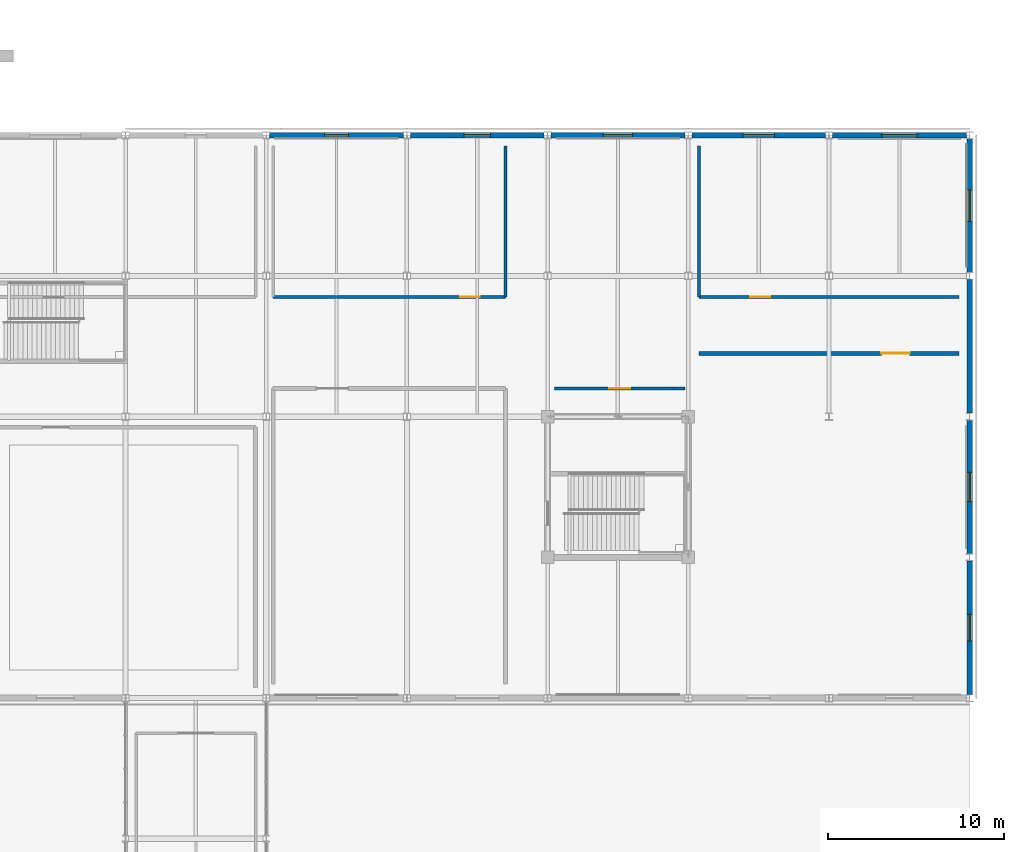
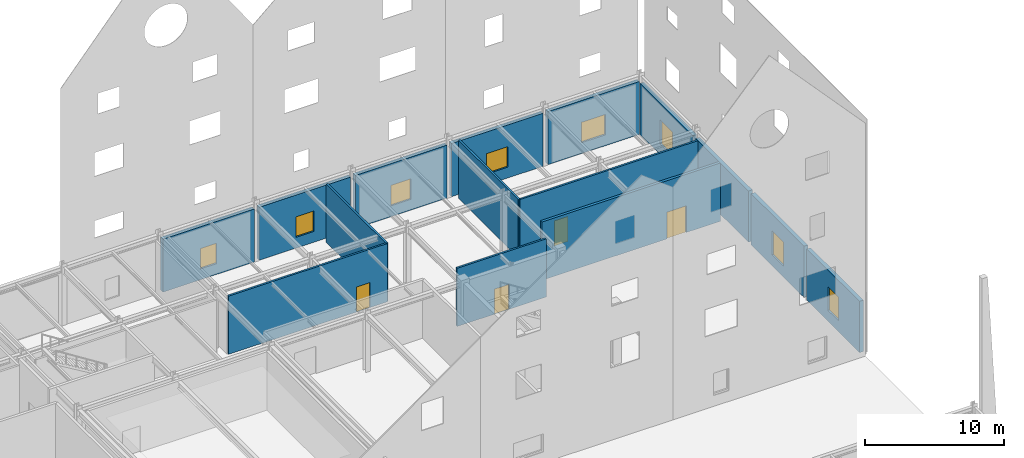
# One storey, part 98 of 119: 15 walls, 8 windows, 4 doors, 12 openings.
"""IFC4 building model written with IfcOpenShell, lengths in metres."""

from ifc_helpers import new_model, si_unit, direction, frame, frame_2d, origin, place, context, subcontext, project, spatial, rectangle, extrude, material, layer, layer_set, type_object, element, fill, save


model = new_model("IFC4")

# Units and contexts
model_context = context("Model", 3, precision=1e-05, world=origin(), true_north=direction((0.0, 1.0)))
body_context = subcontext(model_context, "Body", "Model", "MODEL_VIEW")
ifc_project = project(units=[si_unit("LENGTHUNIT", "METRE"), si_unit("AREAUNIT", "SQUARE_METRE"), si_unit("VOLUMEUNIT", "CUBIC_METRE"), si_unit("PLANEANGLEUNIT", "RADIAN"), si_unit("MASSUNIT", "GRAM", prefix="KILO")], contexts=[model_context])

# Site, building, storey
site_placement = place(None, origin())
site = spatial("IfcSite", under=ifc_project, at=site_placement, CompositionType="ELEMENT")
building_placement = place(site_placement, origin())
building = spatial("IfcBuilding", under=site, at=building_placement, Name="Zhaolan Boulevard Law Courts", CompositionType="ELEMENT")
storey_placement = place(building_placement, origin())
storey = spatial("IfcBuildingStorey", under=building, at=storey_placement, Name="L00", CompositionType="ELEMENT", Elevation=0.0)

# Wall, opening, window
ifc_material_1 = material(Name="Concrete C40", Category="concrete")
ifc_layer_1 = layer(ifc_material_1, 0.320068359375)
ifc_layer_set_1 = layer_set([ifc_layer_1])
wall_type_1 = type_object("IfcWallType", Name="EXT WALL CONCRETE320", PredefinedType="SOLIDWALL", material=ifc_layer_set_1)
wall_1_placement = place(storey_placement, frame((131.803955078125, 94.0, 0.0), z_axis=(0.0, 0.0, 1.0), x_axis=(-1.0, 0.0, 0.0)))
wall_1 = element("IfcWall", 1, at=wall_1_placement, inside=storey, type_object=wall_type_1, Name="Exterior Wall EW-L00-192", PredefinedType="SOLIDWALL", context=body_context, shape_type="SweptSolid", body=[
    extrude(rectangle(XDim=7.60791015625, YDim=0.320068359375, at=frame_2d((3.803955078125, 0.0))), origin(), (0.0, 0.0, 1.0), 4.6630859375),
])
opening_1_placement = place(wall_1_placement, frame((3.12890625, 0.0, 0.949951171875)))
opening_1 = element("IfcOpeningElement", 2, at=opening_1_placement, cuts=wall_1, Name="Opening WIN-L00-050", PredefinedType="OPENING", context=body_context, shape_type="SweptSolid", body=[
    extrude(rectangle(XDim=1.35009765625, YDim=1.800048828125, at=frame_2d((0.675048828125, 0.89990234375))), frame((0.0, 0.169921875, 0.0), z_axis=(0.0, -1.0, 0.0), x_axis=(1.0, 0.0, 0.0)), (0.0, 0.0, 1.0), 0.340087890625),
])
ifc_material_2 = material(Name="Thermally broken aluminium and low-E glazing", Category="aluminium")
window_type_1 = type_object("IfcWindowType", Name="WINDOW 1350X1800", PartitioningType="SINGLE_PANEL", PredefinedType="WINDOW", material=ifc_material_2)
window_1_placement = place(opening_1_placement, origin())
window_1 = element("IfcWindow", 3, at=window_1_placement, inside=storey, type_object=window_type_1, Name="Exterior Window WIN-L00-050", OverallHeight=1.800048828125, OverallWidth=1.35009765625, PartitioningType="SINGLE_PANEL", PredefinedType="WINDOW", context=body_context, shape_type="SweptSolid", body=[
    extrude(rectangle(XDim=1.35009765625, YDim=1.800048828125, at=frame_2d((0.675048828125, 0.89990234375))), frame((0.0, 0.030029296875, 0.0), z_axis=(0.0, -1.0, 0.0), x_axis=(1.0, 0.0, 0.0)), (0.0, 0.0, 1.0), 0.06005859375),
])
fill(opening_1, window_1)

wall_2_placement = place(storey_placement, frame((139.803955078125, 94.0, 0.0), z_axis=(0.0, 0.0, 1.0), x_axis=(-1.0, 0.0, 0.0)))
wall_2 = element("IfcWall", 4, at=wall_2_placement, inside=storey, type_object=wall_type_1, Name="Exterior Wall EW-L00-193", PredefinedType="SOLIDWALL", context=body_context, shape_type="SweptSolid", body=[
    extrude(rectangle(XDim=7.60791015625, YDim=0.320068359375, at=frame_2d((3.803955078125, 0.0))), origin(), (0.0, 0.0, 1.0), 4.6630859375),
])
opening_2_placement = place(wall_2_placement, frame((3.053955078125, 0.0, 0.949951171875)))
opening_2 = element("IfcOpeningElement", 5, at=opening_2_placement, cuts=wall_2, Name="Opening WIN-L00-051", PredefinedType="OPENING", context=body_context, shape_type="SweptSolid", body=[
    extrude(rectangle(XDim=1.5, YDim=1.800048828125, at=frame_2d((0.75, 0.89990234375))), frame((0.0, 0.169921875, 0.0), z_axis=(0.0, -1.0, 0.0), x_axis=(1.0, 0.0, 0.0)), (0.0, 0.0, 1.0), 0.340087890625),
])
ifc_material_3 = material(Name="Thermally broken aluminium and low-E glazing", Category="aluminium")
window_type_2 = type_object("IfcWindowType", Name="WINDOW 1500X1800", PartitioningType="SINGLE_PANEL", PredefinedType="WINDOW", material=ifc_material_3)
window_2_placement = place(opening_2_placement, origin())
window_2 = element("IfcWindow", 6, at=window_2_placement, inside=storey, type_object=window_type_2, Name="Exterior Window WIN-L00-051", OverallHeight=1.800048828125, OverallWidth=1.5, PartitioningType="SINGLE_PANEL", PredefinedType="WINDOW", context=body_context, shape_type="SweptSolid", body=[
    extrude(rectangle(XDim=1.5, YDim=1.800048828125, at=frame_2d((0.75, 0.89990234375))), frame((0.0, 0.030029296875, 0.0), z_axis=(0.0, -1.0, 0.0), x_axis=(1.0, 0.0, 0.0)), (0.0, 0.0, 1.0), 0.06005859375),
])
fill(opening_2, window_2)

wall_3_placement = place(storey_placement, frame((147.803955078125, 94.0, 0.0), z_axis=(0.0, 0.0, 1.0), x_axis=(-1.0, 0.0, 0.0)))
wall_3 = element("IfcWall", 7, at=wall_3_placement, inside=storey, type_object=wall_type_1, Name="Exterior Wall EW-L00-194", PredefinedType="SOLIDWALL", context=body_context, shape_type="SweptSolid", body=[
    extrude(rectangle(XDim=7.60791015625, YDim=0.320068359375, at=frame_2d((3.803955078125, 0.0))), origin(), (0.0, 0.0, 1.0), 4.6630859375),
])
opening_3_placement = place(wall_3_placement, frame((2.97900390625, 0.0, 0.949951171875)))
opening_3 = element("IfcOpeningElement", 8, at=opening_3_placement, cuts=wall_3, Name="Opening WIN-L00-052", PredefinedType="OPENING", context=body_context, shape_type="SweptSolid", body=[
    extrude(rectangle(XDim=1.64990234375, YDim=1.800048828125, at=frame_2d((0.824951171875, 0.89990234375))), frame((0.0, 0.169921875, 0.0), z_axis=(0.0, -1.0, 0.0), x_axis=(1.0, 0.0, 0.0)), (0.0, 0.0, 1.0), 0.340087890625),
])
ifc_material_4 = material(Name="Thermally broken aluminium and low-E glazing", Category="aluminium")
window_type_3 = type_object("IfcWindowType", Name="WINDOW 1650X1800", PartitioningType="SINGLE_PANEL", PredefinedType="WINDOW", material=ifc_material_4)
window_3_placement = place(opening_3_placement, origin())
window_3 = element("IfcWindow", 9, at=window_3_placement, inside=storey, type_object=window_type_3, Name="Exterior Window WIN-L00-052", OverallHeight=1.800048828125, OverallWidth=1.64990234375, PartitioningType="SINGLE_PANEL", PredefinedType="WINDOW", context=body_context, shape_type="SweptSolid", body=[
    extrude(rectangle(XDim=1.64990234375, YDim=1.800048828125, at=frame_2d((0.824951171875, 0.89990234375))), frame((0.0, 0.030029296875, 0.0), z_axis=(0.0, -1.0, 0.0), x_axis=(1.0, 0.0, 0.0)), (0.0, 0.0, 1.0), 0.06005859375),
])
fill(opening_3, window_3)

wall_4_placement = place(storey_placement, frame((155.803955078125, 94.0, 0.0), z_axis=(0.0, 0.0, 1.0), x_axis=(-1.0, 0.0, 0.0)))
wall_4 = element("IfcWall", 10, at=wall_4_placement, inside=storey, type_object=wall_type_1, Name="Exterior Wall EW-L00-195", PredefinedType="SOLIDWALL", context=body_context, shape_type="SweptSolid", body=[
    extrude(rectangle(XDim=7.60791015625, YDim=0.320068359375, at=frame_2d((3.803955078125, 0.0))), origin(), (0.0, 0.0, 1.0), 4.6630859375),
])
opening_4_placement = place(wall_4_placement, frame((2.904052734375, 0.0, 0.949951171875)))
opening_4 = element("IfcOpeningElement", 11, at=opening_4_placement, cuts=wall_4, Name="Opening WIN-L00-053", PredefinedType="OPENING", context=body_context, shape_type="SweptSolid", body=[
    extrude(rectangle(XDim=1.800048828125, YDim=1.800048828125, at=frame_2d((0.89990234375, 0.89990234375))), frame((0.0, 0.169921875, 0.0), z_axis=(0.0, -1.0, 0.0), x_axis=(1.0, 0.0, 0.0)), (0.0, 0.0, 1.0), 0.340087890625),
])
ifc_material_5 = material(Name="Thermally broken aluminium and low-E glazing", Category="aluminium")
window_type_4 = type_object("IfcWindowType", Name="WINDOW 1800X1800", PartitioningType="DOUBLE_PANEL_VERTICAL", PredefinedType="WINDOW", material=ifc_material_5)
window_4_placement = place(opening_4_placement, origin())
window_4 = element("IfcWindow", 12, at=window_4_placement, inside=storey, type_object=window_type_4, Name="Exterior Window WIN-L00-053", OverallHeight=1.800048828125, OverallWidth=1.800048828125, PartitioningType="SINGLE_PANEL", PredefinedType="WINDOW", context=body_context, shape_type="SweptSolid", body=[
    extrude(rectangle(XDim=1.800048828125, YDim=1.800048828125, at=frame_2d((0.89990234375, 0.89990234375))), frame((0.0, 0.030029296875, 0.0), z_axis=(0.0, -1.0, 0.0), x_axis=(1.0, 0.0, 0.0)), (0.0, 0.0, 1.0), 0.06005859375),
])
fill(opening_4, window_4)

wall_5_placement = place(storey_placement, frame((163.803955078125, 94.0, 0.0), z_axis=(0.0, 0.0, 1.0), x_axis=(-1.0, 0.0, 0.0)))
wall_5 = element("IfcWall", 13, at=wall_5_placement, inside=storey, type_object=wall_type_1, Name="Exterior Wall EW-L00-196", PredefinedType="SOLIDWALL", context=body_context, shape_type="SweptSolid", body=[
    extrude(rectangle(XDim=7.60791015625, YDim=0.320068359375, at=frame_2d((3.803955078125, 0.0))), origin(), (0.0, 0.0, 1.0), 4.6630859375),
])
opening_5_placement = place(wall_5_placement, frame((2.803955078125, 0.0, 0.949951171875)))
opening_5 = element("IfcOpeningElement", 14, at=opening_5_placement, cuts=wall_5, Name="Opening WIN-L00-054", PredefinedType="OPENING", context=body_context, shape_type="SweptSolid", body=[
    extrude(rectangle(XDim=2.0, YDim=1.800048828125, at=frame_2d((1.0, 0.89990234375))), frame((0.0, 0.169921875, 0.0), z_axis=(0.0, -1.0, 0.0), x_axis=(1.0, 0.0, 0.0)), (0.0, 0.0, 1.0), 0.340087890625),
])
ifc_material_6 = material(Name="Thermally broken aluminium and low-E glazing", Category="aluminium")
window_type_5 = type_object("IfcWindowType", Name="WINDOW 2000X1800", PartitioningType="DOUBLE_PANEL_VERTICAL", PredefinedType="WINDOW", material=ifc_material_6)
window_5_placement = place(opening_5_placement, origin())
window_5 = element("IfcWindow", 15, at=window_5_placement, inside=storey, type_object=window_type_5, Name="Exterior Window WIN-L00-054", OverallHeight=1.800048828125, OverallWidth=2.0, PartitioningType="SINGLE_PANEL", PredefinedType="WINDOW", context=body_context, shape_type="SweptSolid", body=[
    extrude(rectangle(XDim=2.0, YDim=1.800048828125, at=frame_2d((1.0, 0.89990234375))), frame((0.0, 0.030029296875, 0.0), z_axis=(0.0, -1.0, 0.0), x_axis=(1.0, 0.0, 0.0)), (0.0, 0.0, 1.0), 0.06005859375),
])
fill(opening_5, window_5)

wall_6_placement = place(storey_placement, frame((164.0, 62.196044921875, 0.0), z_axis=(0.0, 0.0, 1.0), x_axis=(0.0, 1.0, 0.0)))
wall_6 = element("IfcWall", 16, at=wall_6_placement, inside=storey, type_object=wall_type_1, Name="Exterior Wall EW-L00-201", PredefinedType="SOLIDWALL", context=body_context, shape_type="SweptSolid", body=[
    extrude(rectangle(XDim=7.60791015625, YDim=0.320068359375, at=frame_2d((3.803955078125, 0.0))), origin(), (0.0, 0.0, 1.0), 4.5029296875),
])
opening_6_placement = place(wall_6_placement, frame((3.053955078125, 0.0, 0.949951171875)))
opening_6 = element("IfcOpeningElement", 17, at=opening_6_placement, cuts=wall_6, Name="Opening WIN-L00-059", PredefinedType="OPENING", context=body_context, shape_type="SweptSolid", body=[
    extrude(rectangle(XDim=1.5, YDim=2.10009765625, at=frame_2d((0.75, 1.050048828125))), frame((0.0, 0.169921875, 0.0), z_axis=(0.0, -1.0, 0.0), x_axis=(1.0, 0.0, 0.0)), (0.0, 0.0, 1.0), 0.340087890625),
])
ifc_material_7 = material(Name="Thermally broken aluminium and low-E glazing", Category="aluminium")
window_type_6 = type_object("IfcWindowType", Name="WINDOW 1500X2100", PartitioningType="SINGLE_PANEL", PredefinedType="WINDOW", material=ifc_material_7)
window_6_placement = place(opening_6_placement, origin())
window_6 = element("IfcWindow", 18, at=window_6_placement, inside=storey, type_object=window_type_6, Name="Exterior Window WIN-L00-059", OverallHeight=2.10009765625, OverallWidth=1.5, PartitioningType="SINGLE_PANEL", PredefinedType="WINDOW", context=body_context, shape_type="SweptSolid", body=[
    extrude(rectangle(XDim=1.5, YDim=2.10009765625, at=frame_2d((0.75, 1.050048828125))), frame((0.0, 0.030029296875, 0.0), z_axis=(0.0, -1.0, 0.0), x_axis=(1.0, 0.0, 0.0)), (0.0, 0.0, 1.0), 0.06005859375),
])
fill(opening_6, window_6)

wall_7_placement = place(storey_placement, frame((164.0, 70.196044921875, 0.0), z_axis=(0.0, 0.0, 1.0), x_axis=(0.0, 1.0, 0.0)))
wall_7 = element("IfcWall", 19, at=wall_7_placement, inside=storey, type_object=wall_type_1, Name="Exterior Wall EW-L00-202", PredefinedType="SOLIDWALL", context=body_context, shape_type="SweptSolid", body=[
    extrude(rectangle(XDim=7.60791015625, YDim=0.320068359375, at=frame_2d((3.803955078125, 0.0))), origin(), (0.0, 0.0, 1.0), 4.5029296875),
])
opening_7_placement = place(wall_7_placement, frame((2.97900390625, 0.0, 0.949951171875)))
opening_7 = element("IfcOpeningElement", 20, at=opening_7_placement, cuts=wall_7, Name="Opening WIN-L00-060", PredefinedType="OPENING", context=body_context, shape_type="SweptSolid", body=[
    extrude(rectangle(XDim=1.64990234375, YDim=2.10009765625, at=frame_2d((0.824951171875, 1.050048828125))), frame((0.0, 0.169921875, 0.0), z_axis=(0.0, -1.0, 0.0), x_axis=(1.0, 0.0, 0.0)), (0.0, 0.0, 1.0), 0.340087890625),
])
ifc_material_8 = material(Name="Thermally broken aluminium and low-E glazing", Category="aluminium")
window_type_7 = type_object("IfcWindowType", Name="WINDOW 1650X2100", PartitioningType="SINGLE_PANEL", PredefinedType="WINDOW", material=ifc_material_8)
window_7_placement = place(opening_7_placement, origin())
window_7 = element("IfcWindow", 21, at=window_7_placement, inside=storey, type_object=window_type_7, Name="Exterior Window WIN-L00-060", OverallHeight=2.10009765625, OverallWidth=1.64990234375, PartitioningType="SINGLE_PANEL", PredefinedType="WINDOW", context=body_context, shape_type="SweptSolid", body=[
    extrude(rectangle(XDim=1.64990234375, YDim=2.10009765625, at=frame_2d((0.824951171875, 1.050048828125))), frame((0.0, 0.030029296875, 0.0), z_axis=(0.0, -1.0, 0.0), x_axis=(1.0, 0.0, 0.0)), (0.0, 0.0, 1.0), 0.06005859375),
])
fill(opening_7, window_7)

# Wall
wall_8_placement = place(storey_placement, frame((164.0, 78.196044921875, 0.0), z_axis=(0.0, 0.0, 1.0), x_axis=(0.0, 1.0, 0.0)))
element("IfcWall", 22, at=wall_8_placement, inside=storey, type_object=wall_type_1, Name="Exterior Wall EW-L00-203", PredefinedType="SOLIDWALL", context=body_context, shape_type="SweptSolid", body=[
    extrude(rectangle(XDim=7.60791015625, YDim=0.320068359375, at=frame_2d((3.803955078125, 0.0))), origin(), (0.0, 0.0, 1.0), 4.5029296875),
])

# Wall, opening, window
wall_9_placement = place(storey_placement, frame((164.0, 86.196044921875, 0.0), z_axis=(0.0, 0.0, 1.0), x_axis=(0.0, 1.0, 0.0)))
wall_9 = element("IfcWall", 23, at=wall_9_placement, inside=storey, type_object=wall_type_1, Name="Exterior Wall EW-L00-204", PredefinedType="SOLIDWALL", context=body_context, shape_type="SweptSolid", body=[
    extrude(rectangle(XDim=7.60791015625, YDim=0.320068359375, at=frame_2d((3.803955078125, 0.0))), origin(), (0.0, 0.0, 1.0), 4.5029296875),
])
opening_8_placement = place(wall_9_placement, frame((2.904052734375, 0.0, 0.949951171875)))
opening_8 = element("IfcOpeningElement", 24, at=opening_8_placement, cuts=wall_9, Name="Opening WIN-L00-061", PredefinedType="OPENING", context=body_context, shape_type="SweptSolid", body=[
    extrude(rectangle(XDim=1.800048828125, YDim=2.10009765625, at=frame_2d((0.89990234375, 1.050048828125))), frame((0.0, 0.169921875, 0.0), z_axis=(0.0, -1.0, 0.0), x_axis=(1.0, 0.0, 0.0)), (0.0, 0.0, 1.0), 0.340087890625),
])
ifc_material_9 = material(Name="Thermally broken aluminium and low-E glazing", Category="aluminium")
window_type_8 = type_object("IfcWindowType", Name="WINDOW 1800X2100", PartitioningType="DOUBLE_PANEL_VERTICAL", PredefinedType="WINDOW", material=ifc_material_9)
window_8_placement = place(opening_8_placement, origin())
window_8 = element("IfcWindow", 25, at=window_8_placement, inside=storey, type_object=window_type_8, Name="Exterior Window WIN-L00-061", OverallHeight=2.10009765625, OverallWidth=1.800048828125, PartitioningType="SINGLE_PANEL", PredefinedType="WINDOW", context=body_context, shape_type="SweptSolid", body=[
    extrude(rectangle(XDim=1.800048828125, YDim=2.10009765625, at=frame_2d((0.89990234375, 1.050048828125))), frame((0.0, 0.030029296875, 0.0), z_axis=(0.0, -1.0, 0.0), x_axis=(1.0, 0.0, 0.0)), (0.0, 0.0, 1.0), 0.06005859375),
])
fill(opening_8, window_8)

# Wall, opening, door
ifc_material_10 = material(Name="Fire-rated gypsum stud partition")
ifc_layer_2 = layer(ifc_material_10, 0.159912109375)
ifc_layer_set_2 = layer_set([ifc_layer_2])
wall_type_2 = type_object("IfcWallType", Name="PART WALL CHAMB160", PredefinedType="PARTITIONING", material=ifc_layer_set_2)
wall_10_placement = place(storey_placement, frame((124.39990234375, 84.800048828125, 0.0), z_axis=(0.0, 0.0, 1.0), x_axis=(1.0, 0.0, 0.0)))
wall_10 = element("IfcWall", 26, at=wall_10_placement, inside=storey, type_object=wall_type_2, Name="Interior Partition PW-L00-293", PredefinedType="PARTITIONING", context=body_context, shape_type="SweptSolid", body=[
    extrude(rectangle(XDim=13.2001953125, YDim=0.159912109375, at=frame_2d((6.60009765625, 0.0))), origin(), (0.0, 0.0, 1.0), 5.1201171875),
])
opening_9_placement = place(wall_10_placement, frame((10.632080078125, 0.0, 0.0)))
opening_9 = element("IfcOpeningElement", 27, at=opening_9_placement, cuts=wall_10, Name="Opening JR-L00-090", PredefinedType="OPENING", context=body_context, shape_type="SweptSolid", body=[
    extrude(rectangle(XDim=1.1201171875, YDim=2.199951171875, at=frame_2d((0.56005859375, 1.10009765625))), frame((0.0, 0.08984375, 0.0), z_axis=(0.0, -1.0, 0.0), x_axis=(1.0, 0.0, 0.0)), (0.0, 0.0, 1.0), 0.179931640625),
])
ifc_material_11 = material(Name="Solid-core acoustic oak veneer door")
door_type_1 = type_object("IfcDoorType", Name="JURY DOOR 1120X2200 R", OperationType="SINGLE_SWING_RIGHT", PredefinedType="DOOR", material=ifc_material_11)
door_1_placement = place(opening_9_placement, origin())
door_1 = element("IfcDoor", 28, at=door_1_placement, inside=storey, type_object=door_type_1, Name="Door JR-L00-090 (Jury Room L00-05)", OperationType="SINGLE_SWING_RIGHT", OverallHeight=2.199951171875, OverallWidth=1.1201171875, PredefinedType="DOOR", context=body_context, shape_type="SweptSolid", body=[
    extrude(rectangle(XDim=1.1201171875, YDim=2.199951171875, at=frame_2d((0.56005859375, 1.10009765625))), frame((0.0, 0.02490234375, 0.0), z_axis=(0.0, -1.0, 0.0), x_axis=(1.0, 0.0, 0.0)), (0.0, 0.0, 1.0), 0.050048828125),
])
fill(opening_9, door_1)

# Wall
wall_11_placement = place(storey_placement, frame((137.60009765625, 84.800048828125, 0.0), z_axis=(0.0, 0.0, 1.0), x_axis=(0.0, 1.0, 0.0)))
element("IfcWall", 29, at=wall_11_placement, inside=storey, type_object=wall_type_2, Name="Interior Partition PW-L00-295", PredefinedType="PARTITIONING", context=body_context, shape_type="SweptSolid", body=[
    extrude(rectangle(XDim=8.599853515625, YDim=0.159912109375, at=frame_2d((4.2998046875, 0.0))), origin(), (0.0, 0.0, 1.0), 5.1201171875),
])

# Wall, opening, door
wall_12_placement = place(storey_placement, frame((148.60009765625, 84.800048828125, 0.0), z_axis=(0.0, 0.0, 1.0), x_axis=(1.0, 0.0, 0.0)))
wall_12 = element("IfcWall", 30, at=wall_12_placement, inside=storey, type_object=wall_type_2, Name="Interior Partition PW-L00-296", PredefinedType="PARTITIONING", context=body_context, shape_type="SweptSolid", body=[
    extrude(rectangle(XDim=14.7998046875, YDim=0.159912109375, at=frame_2d((7.39990234375, 0.0))), origin(), (0.0, 0.0, 1.0), 5.1201171875),
])
opening_10_placement = place(wall_12_placement, frame((2.909912109375, 0.0, 0.0)))
opening_10 = element("IfcOpeningElement", 31, at=opening_10_placement, cuts=wall_12, Name="Opening JR-L00-091", PredefinedType="OPENING", context=body_context, shape_type="SweptSolid", body=[
    extrude(rectangle(XDim=1.14990234375, YDim=2.199951171875, at=frame_2d((0.574951171875, 1.10009765625))), frame((0.0, 0.08984375, 0.0), z_axis=(0.0, -1.0, 0.0), x_axis=(1.0, 0.0, 0.0)), (0.0, 0.0, 1.0), 0.179931640625),
])
ifc_material_12 = material(Name="Solid-core acoustic oak veneer door")
door_type_2 = type_object("IfcDoorType", Name="JURY DOOR 1150X2200 L", OperationType="SINGLE_SWING_LEFT", PredefinedType="DOOR", material=ifc_material_12)
door_2_placement = place(opening_10_placement, origin())
door_2 = element("IfcDoor", 32, at=door_2_placement, inside=storey, type_object=door_type_2, Name="Door JR-L00-091 (Jury Room L00-06)", OperationType="SINGLE_SWING_LEFT", OverallHeight=2.199951171875, OverallWidth=1.14990234375, PredefinedType="DOOR", context=body_context, shape_type="SweptSolid", body=[
    extrude(rectangle(XDim=1.14990234375, YDim=2.199951171875, at=frame_2d((0.574951171875, 1.10009765625))), frame((0.0, 0.02490234375, 0.0), z_axis=(0.0, -1.0, 0.0), x_axis=(1.0, 0.0, 0.0)), (0.0, 0.0, 1.0), 0.050048828125),
])
fill(opening_10, door_2)

# Wall
wall_13_placement = place(storey_placement, frame((148.60009765625, 93.39990234375, 0.0), z_axis=(0.0, 0.0, 1.0), x_axis=(0.0, -1.0, 0.0)))
element("IfcWall", 33, at=wall_13_placement, inside=storey, type_object=wall_type_2, Name="Interior Partition PW-L00-297", PredefinedType="PARTITIONING", context=body_context, shape_type="SweptSolid", body=[
    extrude(rectangle(XDim=8.599853515625, YDim=0.159912109375, at=frame_2d((4.2998046875, 0.0))), origin(), (0.0, 0.0, 1.0), 5.1201171875),
])

# Wall, opening, door
wall_14_placement = place(storey_placement, frame((147.800048828125, 79.60009765625, 0.0), z_axis=(0.0, 0.0, 1.0), x_axis=(-1.0, 0.0, 0.0)))
wall_14 = element("IfcWall", 34, at=wall_14_placement, inside=storey, type_object=wall_type_2, Name="Interior Partition PW-L00-750", PredefinedType="PARTITIONING", context=body_context, shape_type="SweptSolid", body=[
    extrude(rectangle(XDim=7.400146484375, YDim=0.159912109375, at=frame_2d((3.7001953125, 0.0))), origin(), (0.0, 0.0, 1.0), 5.1201171875),
])
opening_11_placement = place(wall_14_placement, frame((3.10009765625, 0.0, 0.0)))
opening_11 = element("IfcOpeningElement", 35, at=opening_11_placement, cuts=wall_14, Name="Opening MD-L00-235", PredefinedType="OPENING", context=body_context, shape_type="SweptSolid", body=[
    extrude(rectangle(XDim=1.199951171875, YDim=2.199951171875, at=frame_2d((0.60009765625, 1.10009765625))), frame((0.0, 0.08984375, 0.0), z_axis=(0.0, -1.0, 0.0), x_axis=(1.0, 0.0, 0.0)), (0.0, 0.0, 1.0), 0.179931640625),
])
ifc_material_13 = material(Name="Solid-core acoustic oak veneer door")
door_type_3 = type_object("IfcDoorType", Name="MED DOOR 1200X2200 L", OperationType="SINGLE_SWING_LEFT", PredefinedType="DOOR", material=ifc_material_13)
door_3_placement = place(opening_11_placement, origin())
door_3 = element("IfcDoor", 36, at=door_3_placement, inside=storey, type_object=door_type_3, Name="Door MD-L00-235 (Witness Waiting Suite L00)", OperationType="SINGLE_SWING_LEFT", OverallHeight=2.199951171875, OverallWidth=1.199951171875, PredefinedType="DOOR", context=body_context, shape_type="SweptSolid", body=[
    extrude(rectangle(XDim=1.199951171875, YDim=2.199951171875, at=frame_2d((0.60009765625, 1.10009765625))), frame((0.0, 0.02490234375, 0.0), z_axis=(0.0, -1.0, 0.0), x_axis=(1.0, 0.0, 0.0)), (0.0, 0.0, 1.0), 0.050048828125),
])
fill(opening_11, door_3)

ifc_material_14 = material(Name="Concrete C40", Category="concrete")
ifc_layer_3 = layer(ifc_material_14, 0.219970703125)
ifc_layer_set_3 = layer_set([ifc_layer_3])
wall_type_3 = type_object("IfcWallType", Name="PART WALL COURT220", PredefinedType="PARTITIONING", material=ifc_layer_set_3)
wall_15_placement = place(storey_placement, frame((163.39990234375, 81.60009765625, 0.0), z_axis=(0.0, 0.0, 1.0), x_axis=(-1.0, 0.0, 0.0)))
wall_15 = element("IfcWall", 37, at=wall_15_placement, inside=storey, type_object=wall_type_3, Name="Interior Partition PW-L00-281", PredefinedType="PARTITIONING", context=body_context, shape_type="SweptSolid", body=[
    extrude(rectangle(XDim=14.7998046875, YDim=0.219970703125, at=frame_2d((7.39990234375, 0.0))), origin(), (0.0, 0.0, 1.0), 5.1201171875),
])
opening_12_placement = place(wall_15_placement, frame((2.820068359375, 0.0, 0.0)))
opening_12 = element("IfcOpeningElement", 38, at=opening_12_placement, cuts=wall_15, Name="Opening ID-L00-085", PredefinedType="OPENING", context=body_context, shape_type="SweptSolid", body=[
    extrude(rectangle(XDim=1.60009765625, YDim=2.35009765625, at=frame_2d((0.800048828125, 1.175048828125))), frame((0.0, 0.119873046875, 0.0), z_axis=(0.0, -1.0, 0.0), x_axis=(1.0, 0.0, 0.0)), (0.0, 0.0, 1.0), 0.239990234375),
])
ifc_material_15 = material(Name="Solid-core acoustic oak veneer door")
door_type_4 = type_object("IfcDoorType", Name="COURT DOUBLE 1600X2350", OperationType="DOUBLE_DOOR_SINGLE_SWING", PredefinedType="DOOR", material=ifc_material_15)
door_4_placement = place(opening_12_placement, origin())
door_4 = element("IfcDoor", 39, at=door_4_placement, inside=storey, type_object=door_type_4, Name="Door ID-L00-085 (Civil Trial Courtroom 06)", OperationType="DOUBLE_DOOR_SINGLE_SWING", OverallHeight=2.35009765625, OverallWidth=1.60009765625, PredefinedType="DOOR", context=body_context, shape_type="SweptSolid", body=[
    extrude(rectangle(XDim=1.60009765625, YDim=2.35009765625, at=frame_2d((0.800048828125, 1.175048828125))), frame((0.0, 0.02490234375, 0.0), z_axis=(0.0, -1.0, 0.0), x_axis=(1.0, 0.0, 0.0)), (0.0, 0.0, 1.0), 0.050048828125),
])
fill(opening_12, door_4)

save(model, "model.ifc")
